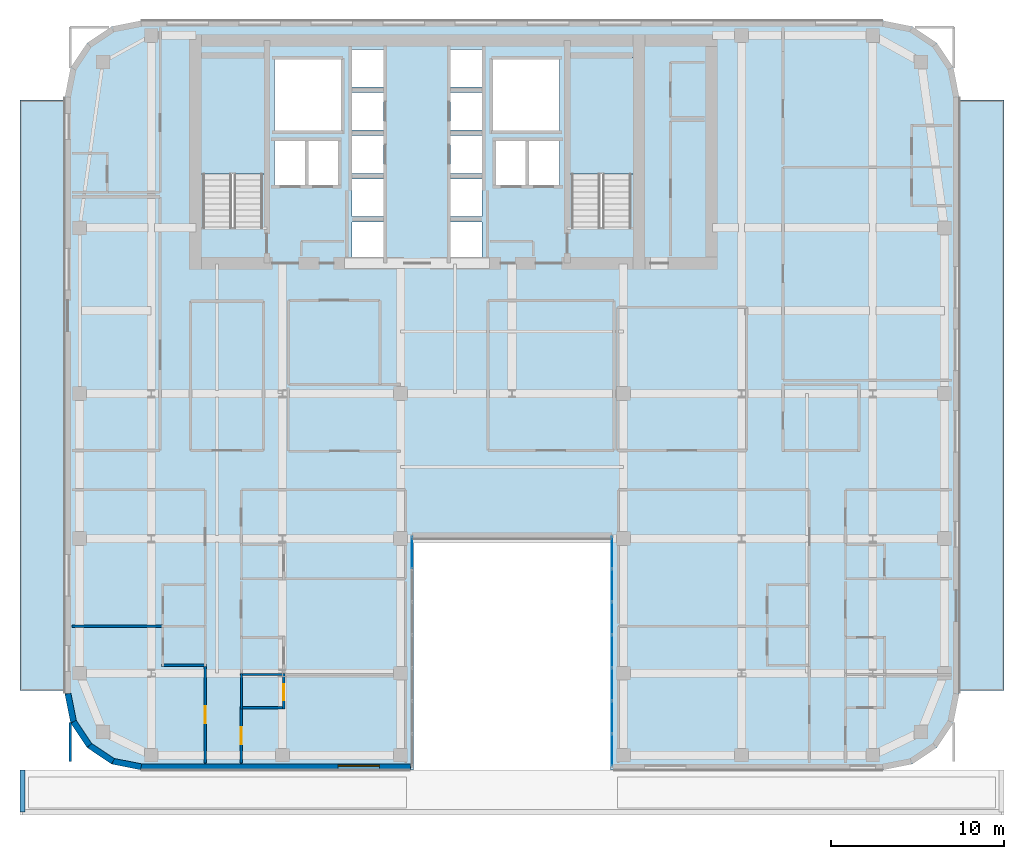
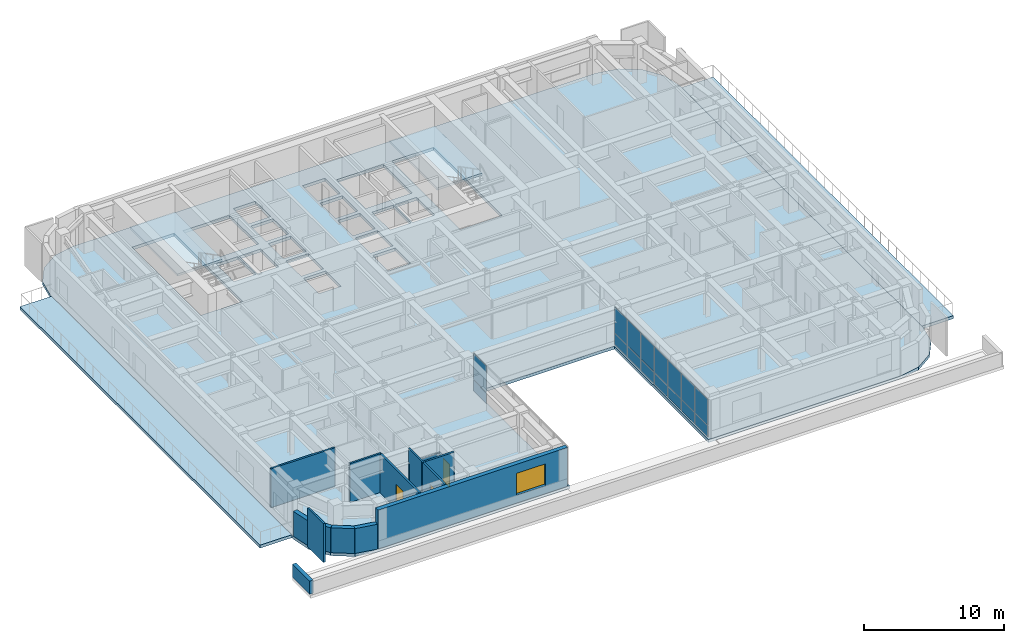
# One storey, part 9 of 20: 16 plates, 15 walls, 5 slabs, 3 doors, 1 window, 4 openings, 4 elements without a shape of their own.
"""IFC4 building model written with IfcOpenShell, lengths in metres."""

from ifc_helpers import new_model, si_unit, direction, frame, frame_2d, origin, origin_2d, place, context, subcontext, project, spatial, polyline, rectangle, outline, extrude, source, transform, mapped, material, layer, layer_set, type_object, type_shapes, element, fill, aggregate, save


model = new_model("IFC4")

# Units and contexts
model_context = context("Model", 3, precision=1e-05, world=origin(), true_north=direction((0.0, 1.0)))
body_context = subcontext(model_context, "Body", "Model", "MODEL_VIEW")
ifc_project = project(units=[si_unit("LENGTHUNIT", "METRE"), si_unit("AREAUNIT", "SQUARE_METRE"), si_unit("VOLUMEUNIT", "CUBIC_METRE"), si_unit("PLANEANGLEUNIT", "RADIAN"), si_unit("MASSUNIT", "GRAM", prefix="KILO")], contexts=[model_context])

# Site, building, storey
site_placement = place(None, origin())
site = spatial("IfcSite", under=ifc_project, at=site_placement, CompositionType="ELEMENT")
building_placement = place(site_placement, origin())
building = spatial("IfcBuilding", under=site, at=building_placement, Name="Tolvann Quenvar Hotel", CompositionType="ELEMENT")
storey_placement = place(building_placement, frame((0.0, 0.0, 147.050048828125)))
storey = spatial("IfcBuildingStorey", under=building, at=storey_placement, Name="L38", CompositionType="ELEMENT", Elevation=147.050048828125)

# Stair, slab
ifc_material_1 = material(Name="Concrete N40 (40 MPa)", Category="concrete")
stair_type = type_object("IfcStairType", Name="STAIR", PredefinedType="HALF_TURN_STAIR", material=ifc_material_1)
stair_1_placement = place(storey_placement, origin())
stair_1 = element("IfcStair", 1, at=stair_1_placement, inside=storey, type_object=stair_type, Name="L38 ST-C1", PredefinedType="HALF_TURN_STAIR")
ifc_layer_1 = layer(ifc_material_1, 0.199951171875)
ifc_layer_set_1 = layer_set([ifc_layer_1], Name="Concrete N40 (40 MPa)")
slab_type_1 = type_object("IfcSlabType", Name="SLAB_LANDING", PredefinedType="LANDING", material=ifc_layer_set_1)
slab_1_placement = place(storey_placement, frame((0.0, 0.0, 1.574951171875)))
slab_1 = element("IfcSlab", 2, at=slab_1_placement, type_object=slab_type_1, Name="ST-C1 landing 1", PredefinedType="LANDING", context=body_context, shape_type="SweptSolid", body=[
    extrude(outline(polyline([(14.179931640625, 37.10498046875), (14.179931640625, 43.8798828125), (10.469970703125, 43.8798828125), (10.469970703125, 37.10498046875), (14.179931640625, 37.10498046875)])), origin(), (0.0, 0.0, 1.0), 0.199951171875),
])
aggregate(stair_1, [slab_1])

stair_2_placement = place(storey_placement, origin())
stair_2 = element("IfcStair", 3, at=stair_2_placement, inside=storey, type_object=stair_type, Name="L38 ST-C2", PredefinedType="HALF_TURN_STAIR")
slab_2_placement = place(storey_placement, frame((0.0, 0.0, 1.574951171875)))
slab_2 = element("IfcSlab", 4, at=slab_2_placement, type_object=slab_type_1, Name="ST-C2 landing 1", PredefinedType="LANDING", context=body_context, shape_type="SweptSolid", body=[
    extrude(outline(polyline([(35.530029296875, 37.10498046875), (35.530029296875, 43.8798828125), (31.820068359375, 43.8798828125), (31.820068359375, 37.10498046875), (35.530029296875, 37.10498046875)])), origin(), (0.0, 0.0, 1.0), 0.199951171875),
])
aggregate(stair_2, [slab_2])

# Slabs
ifc_material_2 = material(Name="Concrete N50 (50 MPa)", Category="concrete")
ifc_layer_2 = layer(ifc_material_2, 0.260009765625)
ifc_layer_set_2 = layer_set([ifc_layer_2], Name="Concrete N50 (50 MPa)")
slab_type_2 = type_object("IfcSlabType", Name="SLAB_POD_250", PredefinedType="FLOOR", material=ifc_layer_set_2)
slab_3_placement = place(storey_placement, frame((0.0, 0.0, -0.260009765625)))
element("IfcSlab", 5, at=slab_3_placement, inside=storey, type_object=slab_type_2, Name="Level L38 Structural Floor Slab", PredefinedType="FLOOR", context=body_context, shape_type="SweptSolid", body=[
    extrude(outline(polyline([(2.60009765625, 7.0), (2.934814453125, 5.316162109375), (3.888671875, 3.888671875), (5.316162109375, 2.934814453125), (7.0, 2.60009765625), (22.800048828125, 2.60009765625), (22.800048828125, 16.0), (34.199951171875, 16.0), (34.199951171875, 2.60009765625), (50.0, 2.60009765625), (51.683837890625, 2.934814453125), (53.111328125, 3.888671875), (54.065185546875, 5.316162109375), (54.39990234375, 7.0), (54.39990234375, 41.60009765625), (54.065185546875, 43.28369140625), (53.111328125, 44.711181640625), (51.683837890625, 45.6650390625), (50.0, 46.0), (7.0, 46.0), (5.316162109375, 45.6650390625), (3.888671875, 44.711181640625), (2.934814453125, 43.28369140625), (2.60009765625, 41.60009765625), (2.60009765625, 7.0)]), holes=[polyline([(31.949951171875, 34.02490234375), (31.949951171875, 43.800048828125), (35.39990234375, 43.800048828125), (35.39990234375, 34.02490234375), (31.949951171875, 34.02490234375)]), polyline([(29.449951171875, 39.02001953125), (31.25, 39.02001953125), (31.25, 36.47998046875), (29.449951171875, 36.47998046875), (29.449951171875, 39.02001953125)]), polyline([(31.25, 43.75), (31.25, 39.64990234375), (27.39990234375, 39.64990234375), (27.39990234375, 43.75), (31.25, 43.75)]), polyline([(27.574951171875, 39.02001953125), (29.324951171875, 39.02001953125), (29.324951171875, 36.47998046875), (27.574951171875, 36.47998046875), (27.574951171875, 39.02001953125)]), polyline([(26.77001953125, 44.340087890625), (26.77001953125, 42.159912109375), (24.929931640625, 42.159912109375), (24.929931640625, 44.340087890625), (26.77001953125, 44.340087890625)]), polyline([(24.929931640625, 41.840087890625), (26.77001953125, 41.840087890625), (26.77001953125, 39.659912109375), (24.929931640625, 39.659912109375), (24.929931640625, 41.840087890625)]), polyline([(24.929931640625, 39.340087890625), (26.77001953125, 39.340087890625), (26.77001953125, 37.159912109375), (24.929931640625, 37.159912109375), (24.929931640625, 39.340087890625)]), polyline([(24.929931640625, 36.840087890625), (26.77001953125, 36.840087890625), (26.77001953125, 34.659912109375), (24.929931640625, 34.659912109375), (24.929931640625, 36.840087890625)]), polyline([(24.929931640625, 34.340087890625), (26.77001953125, 34.340087890625), (26.77001953125, 32.159912109375), (24.929931640625, 32.159912109375), (24.929931640625, 34.340087890625)]), polyline([(21.070068359375, 44.340087890625), (21.070068359375, 42.159912109375), (19.22998046875, 42.159912109375), (19.22998046875, 44.340087890625), (21.070068359375, 44.340087890625)]), polyline([(19.22998046875, 41.840087890625), (21.070068359375, 41.840087890625), (21.070068359375, 39.659912109375), (19.22998046875, 39.659912109375), (19.22998046875, 41.840087890625)]), polyline([(19.22998046875, 39.340087890625), (21.070068359375, 39.340087890625), (21.070068359375, 37.159912109375), (19.22998046875, 37.159912109375), (19.22998046875, 39.340087890625)]), polyline([(19.22998046875, 36.840087890625), (21.070068359375, 36.840087890625), (21.070068359375, 34.659912109375), (19.22998046875, 34.659912109375), (19.22998046875, 36.840087890625)]), polyline([(19.22998046875, 34.340087890625), (21.070068359375, 34.340087890625), (21.070068359375, 32.159912109375), (19.22998046875, 32.159912109375), (19.22998046875, 34.340087890625)]), polyline([(18.60009765625, 43.75), (18.60009765625, 39.64990234375), (14.75, 39.64990234375), (14.75, 43.75), (18.60009765625, 43.75)]), polyline([(16.675048828125, 39.02001953125), (18.425048828125, 39.02001953125), (18.425048828125, 36.47998046875), (16.675048828125, 36.47998046875), (16.675048828125, 39.02001953125)]), polyline([(14.75, 39.02001953125), (16.550048828125, 39.02001953125), (16.550048828125, 36.47998046875), (14.75, 36.47998046875), (14.75, 39.02001953125)]), polyline([(10.60009765625, 34.02490234375), (10.60009765625, 43.800048828125), (14.050048828125, 43.800048828125), (14.050048828125, 34.02490234375), (10.60009765625, 34.02490234375)])]), origin(), (0.0, 0.0, 1.0), 0.260009765625),
])
ifc_layer_3 = layer(ifc_material_2, 0.260009765625)
ifc_layer_set_3 = layer_set([ifc_layer_3], Name="Concrete N50 (50 MPa)")
slab_type_3 = type_object("IfcSlabType", Name="SLAB_TER_260", PredefinedType="ROOF", material=ifc_layer_set_3)
slab_4_placement = place(storey_placement, frame((0.0, 0.0, -0.260009765625)))
element("IfcSlab", 6, at=slab_4_placement, inside=storey, type_object=slab_type_3, Name="West Setback Sky Terrace", PredefinedType="ROOF", context=body_context, shape_type="SweptSolid", body=[
    extrude(outline(polyline([(0.0, 7.199951171875), (2.60009765625, 7.199951171875), (2.60009765625, 41.39990234375), (0.0, 41.39990234375), (0.0, 7.199951171875)])), origin(), (0.0, 0.0, 1.0), 0.260009765625),
])
slab_5_placement = place(storey_placement, frame((0.0, 0.0, -0.260009765625)))
element("IfcSlab", 7, at=slab_5_placement, inside=storey, type_object=slab_type_3, Name="East Setback Sky Terrace", PredefinedType="ROOF", context=body_context, shape_type="SweptSolid", body=[
    extrude(outline(polyline([(54.39990234375, 7.199951171875), (57.0, 7.199951171875), (57.0, 41.39990234375), (54.39990234375, 41.39990234375), (54.39990234375, 7.199951171875)])), origin(), (0.0, 0.0, 1.0), 0.260009765625),
])

# Curtain wall, plate
ifc_material_3 = material(Name="Thermally broken anodised architectural aluminium 6063-T6 and laminated low-E glass", Category="aluminium")
ifc_layer_4 = layer(ifc_material_3, 0.179931640625)
ifc_layer_set_4 = layer_set([ifc_layer_4], Name="Thermally broken anodised architectural aluminium 6063-T6 and laminated low-E glass")
curtain_wall_type = type_object("IfcCurtainWallType", Name="CW_SYS_SLOT_03", PredefinedType="USERDEFINED", material=ifc_layer_set_4)
curtain_wall_1_placement = place(storey_placement, origin())
curtain_wall_1 = element("IfcCurtainWall", 8, at=curtain_wall_1_placement, inside=storey, type_object=curtain_wall_type, Name="Curtain Wall CW-SLOT-03 (CWR-L38-E05)", ObjectType="UNITISED CURTAIN WALL", PredefinedType="USERDEFINED")
ifc_material_4 = material(Name="Low-iron laminated double glazing with solar-control coating", Category="glass")
ifc_layer_5 = layer(ifc_material_4, 0.028076171875)
ifc_layer_set_5 = layer_set([ifc_layer_5], Name="Low-iron laminated double glazing with solar-control coating")
plate_type = type_object("IfcPlateType", Name="CW_PAN_VISION_28", PredefinedType="CURTAIN_PANEL", material=ifc_layer_set_5)
shared_shape_1 = source(origin(), body_context, "Body", "SweptSolid", [
    extrude(rectangle(XDim=1.809326171875, YDim=0.028076171875, at=origin_2d()), origin(), (0.0, 0.0, 1.0), 0.9599609375),
])
plate_1_placement = place(storey_placement, frame((22.7099609375, 15.200439453125, 0.06005859375), z_axis=(0.0, 0.0, 1.0), x_axis=(0.0, 1.0, 0.0)))
plate_1 = element("IfcPlate", 9, at=plate_1_placement, type_object=plate_type, Name="CW-SLOT-03 panel 7.1", PredefinedType="CURTAIN_PANEL", context=body_context, shape_type="MappedRepresentation", body=[
    mapped(shared_shape_1, transform((0.0, 0.0, 0.0), x_axis=(1.0, 0.0, 0.0), y_axis=(0.0, 1.0, 0.0), z_axis=(0.0, 0.0, 1.0), scale=1.0)),
])

# Curtain wall, plates
curtain_wall_2_placement = place(storey_placement, origin())
curtain_wall_2 = element("IfcCurtainWall", 10, at=curtain_wall_2_placement, inside=storey, type_object=curtain_wall_type, Name="Curtain Wall CW-SLOT-03 (CWR-L38-E07)", ObjectType="UNITISED CURTAIN WALL", PredefinedType="USERDEFINED")
plate_2_placement = place(storey_placement, frame((34.2900390625, 15.200439453125, 0.06005859375), z_axis=(0.0, 0.0, 1.0), x_axis=(0.0, -1.0, 0.0)))
plate_2 = element("IfcPlate", 11, at=plate_2_placement, type_object=plate_type, Name="CW-SLOT-03 panel 1.1", PredefinedType="CURTAIN_PANEL", context=body_context, shape_type="MappedRepresentation", body=[
    mapped(shared_shape_1, transform((0.0, 0.0, 0.0), x_axis=(1.0, 0.0, 0.0), y_axis=(0.0, 1.0, 0.0), z_axis=(0.0, 0.0, 1.0), scale=1.0)),
])
plate_3_placement = place(storey_placement, frame((34.2900390625, 3.749755859375, 0.06005859375), z_axis=(0.0, 0.0, 1.0), x_axis=(0.0, -1.0, 0.0)))
plate_3 = element("IfcPlate", 12, at=plate_3_placement, type_object=plate_type, Name="CW-SLOT-03 panel 7.1", PredefinedType="CURTAIN_PANEL", context=body_context, shape_type="MappedRepresentation", body=[
    mapped(shared_shape_1, transform((0.0, 0.0, 0.0), x_axis=(1.0, 0.0, 0.0), y_axis=(0.0, 1.0, 0.0), z_axis=(0.0, 0.0, 1.0), scale=1.0)),
])

# Plate
shared_shape_2 = source(origin(), body_context, "Body", "SweptSolid", [
    extrude(rectangle(XDim=1.809326171875, YDim=0.028076171875, at=origin_2d()), origin(), (0.0, 0.0, 1.0), 2.22998046875),
])
plate_4_placement = place(storey_placement, frame((22.7099609375, 15.200439453125, 1.080078125), z_axis=(0.0, 0.0, 1.0), x_axis=(0.0, 1.0, 0.0)))
plate_4 = element("IfcPlate", 13, at=plate_4_placement, type_object=plate_type, Name="CW-SLOT-03 panel 7.2", PredefinedType="CURTAIN_PANEL", context=body_context, shape_type="MappedRepresentation", body=[
    mapped(shared_shape_2, transform((0.0, 0.0, 0.0), x_axis=(1.0, 0.0, 0.0), y_axis=(0.0, 1.0, 0.0), z_axis=(0.0, 0.0, 1.0), scale=1.0)),
])

aggregate(curtain_wall_1, [plate_1, plate_4])

plate_5_placement = place(storey_placement, frame((34.2900390625, 15.200439453125, 1.080078125), z_axis=(0.0, 0.0, 1.0), x_axis=(0.0, -1.0, 0.0)))
plate_5 = element("IfcPlate", 14, at=plate_5_placement, type_object=plate_type, Name="CW-SLOT-03 panel 1.2", PredefinedType="CURTAIN_PANEL", context=body_context, shape_type="MappedRepresentation", body=[
    mapped(shared_shape_2, transform((0.0, 0.0, 0.0), x_axis=(1.0, 0.0, 0.0), y_axis=(0.0, 1.0, 0.0), z_axis=(0.0, 0.0, 1.0), scale=1.0)),
])

plate_6_placement = place(storey_placement, frame((34.2900390625, 3.749755859375, 1.080078125), z_axis=(0.0, 0.0, 1.0), x_axis=(0.0, -1.0, 0.0)))
plate_6 = element("IfcPlate", 15, at=plate_6_placement, type_object=plate_type, Name="CW-SLOT-03 panel 7.2", PredefinedType="CURTAIN_PANEL", context=body_context, shape_type="MappedRepresentation", body=[
    mapped(shared_shape_2, transform((0.0, 0.0, 0.0), x_axis=(1.0, 0.0, 0.0), y_axis=(0.0, 1.0, 0.0), z_axis=(0.0, 0.0, 1.0), scale=1.0)),
])

shared_shape_3 = source(origin(), body_context, "Body", "SweptSolid", [
    extrude(rectangle(XDim=1.84423828125, YDim=0.028076171875, at=origin_2d()), origin(), (0.0, 0.0, 1.0), 0.9599609375),
])
plate_7_placement = place(storey_placement, frame((34.2900390625, 13.303466796875, 0.06005859375), z_axis=(0.0, 0.0, 1.0), x_axis=(0.0, -1.0, 0.0)))
plate_7 = element("IfcPlate", 16, at=plate_7_placement, type_object=plate_type, Name="CW-SLOT-03 panel 2.1", PredefinedType="CURTAIN_PANEL", context=body_context, shape_type="MappedRepresentation", body=[
    mapped(shared_shape_3, transform((0.0, 0.0, 0.0), x_axis=(1.0, 0.0, 0.0), y_axis=(0.0, 1.0, 0.0), z_axis=(0.0, 0.0, 1.0), scale=1.0)),
])

plate_8_placement = place(storey_placement, frame((34.2900390625, 11.389404296875, 0.06005859375), z_axis=(0.0, 0.0, 1.0), x_axis=(0.0, -1.0, 0.0)))
plate_8 = element("IfcPlate", 17, at=plate_8_placement, type_object=plate_type, Name="CW-SLOT-03 panel 3.1", PredefinedType="CURTAIN_PANEL", context=body_context, shape_type="MappedRepresentation", body=[
    mapped(shared_shape_3, transform((0.0, 0.0, 0.0), x_axis=(1.0, 0.0, 0.0), y_axis=(0.0, 1.0, 0.0), z_axis=(0.0, 0.0, 1.0), scale=1.0)),
])

plate_9_placement = place(storey_placement, frame((34.2900390625, 9.47509765625, 0.06005859375), z_axis=(0.0, 0.0, 1.0), x_axis=(0.0, -1.0, 0.0)))
plate_9 = element("IfcPlate", 18, at=plate_9_placement, type_object=plate_type, Name="CW-SLOT-03 panel 4.1", PredefinedType="CURTAIN_PANEL", context=body_context, shape_type="MappedRepresentation", body=[
    mapped(shared_shape_3, transform((0.0, 0.0, 0.0), x_axis=(1.0, 0.0, 0.0), y_axis=(0.0, 1.0, 0.0), z_axis=(0.0, 0.0, 1.0), scale=1.0)),
])

plate_10_placement = place(storey_placement, frame((34.2900390625, 7.560791015625, 0.06005859375), z_axis=(0.0, 0.0, 1.0), x_axis=(0.0, -1.0, 0.0)))
plate_10 = element("IfcPlate", 19, at=plate_10_placement, type_object=plate_type, Name="CW-SLOT-03 panel 5.1", PredefinedType="CURTAIN_PANEL", context=body_context, shape_type="MappedRepresentation", body=[
    mapped(shared_shape_3, transform((0.0, 0.0, 0.0), x_axis=(1.0, 0.0, 0.0), y_axis=(0.0, 1.0, 0.0), z_axis=(0.0, 0.0, 1.0), scale=1.0)),
])

plate_11_placement = place(storey_placement, frame((34.2900390625, 5.646484375, 0.06005859375), z_axis=(0.0, 0.0, 1.0), x_axis=(0.0, -1.0, 0.0)))
plate_11 = element("IfcPlate", 20, at=plate_11_placement, type_object=plate_type, Name="CW-SLOT-03 panel 6.1", PredefinedType="CURTAIN_PANEL", context=body_context, shape_type="MappedRepresentation", body=[
    mapped(shared_shape_3, transform((0.0, 0.0, 0.0), x_axis=(1.0, 0.0, 0.0), y_axis=(0.0, 1.0, 0.0), z_axis=(0.0, 0.0, 1.0), scale=1.0)),
])

shared_shape_4 = source(origin(), body_context, "Body", "SweptSolid", [
    extrude(rectangle(XDim=1.84423828125, YDim=0.028076171875, at=origin_2d()), origin(), (0.0, 0.0, 1.0), 2.22998046875),
])
type_shapes(plate_type, [shared_shape_1, shared_shape_2, shared_shape_3, shared_shape_4])
plate_12_placement = place(storey_placement, frame((34.2900390625, 13.303466796875, 1.080078125), z_axis=(0.0, 0.0, 1.0), x_axis=(0.0, -1.0, 0.0)))
plate_12 = element("IfcPlate", 21, at=plate_12_placement, type_object=plate_type, Name="CW-SLOT-03 panel 2.2", PredefinedType="CURTAIN_PANEL", context=body_context, shape_type="MappedRepresentation", body=[
    mapped(shared_shape_4, transform((0.0, 0.0, 0.0), x_axis=(1.0, 0.0, 0.0), y_axis=(0.0, 1.0, 0.0), z_axis=(0.0, 0.0, 1.0), scale=1.0)),
])

plate_13_placement = place(storey_placement, frame((34.2900390625, 11.389404296875, 1.080078125), z_axis=(0.0, 0.0, 1.0), x_axis=(0.0, -1.0, 0.0)))
plate_13 = element("IfcPlate", 22, at=plate_13_placement, type_object=plate_type, Name="CW-SLOT-03 panel 3.2", PredefinedType="CURTAIN_PANEL", context=body_context, shape_type="MappedRepresentation", body=[
    mapped(shared_shape_4, transform((0.0, 0.0, 0.0), x_axis=(1.0, 0.0, 0.0), y_axis=(0.0, 1.0, 0.0), z_axis=(0.0, 0.0, 1.0), scale=1.0)),
])

plate_14_placement = place(storey_placement, frame((34.2900390625, 9.47509765625, 1.080078125), z_axis=(0.0, 0.0, 1.0), x_axis=(0.0, -1.0, 0.0)))
plate_14 = element("IfcPlate", 23, at=plate_14_placement, type_object=plate_type, Name="CW-SLOT-03 panel 4.2", PredefinedType="CURTAIN_PANEL", context=body_context, shape_type="MappedRepresentation", body=[
    mapped(shared_shape_4, transform((0.0, 0.0, 0.0), x_axis=(1.0, 0.0, 0.0), y_axis=(0.0, 1.0, 0.0), z_axis=(0.0, 0.0, 1.0), scale=1.0)),
])

plate_15_placement = place(storey_placement, frame((34.2900390625, 7.560791015625, 1.080078125), z_axis=(0.0, 0.0, 1.0), x_axis=(0.0, -1.0, 0.0)))
plate_15 = element("IfcPlate", 24, at=plate_15_placement, type_object=plate_type, Name="CW-SLOT-03 panel 5.2", PredefinedType="CURTAIN_PANEL", context=body_context, shape_type="MappedRepresentation", body=[
    mapped(shared_shape_4, transform((0.0, 0.0, 0.0), x_axis=(1.0, 0.0, 0.0), y_axis=(0.0, 1.0, 0.0), z_axis=(0.0, 0.0, 1.0), scale=1.0)),
])

plate_16_placement = place(storey_placement, frame((34.2900390625, 5.646484375, 1.080078125), z_axis=(0.0, 0.0, 1.0), x_axis=(0.0, -1.0, 0.0)))
plate_16 = element("IfcPlate", 25, at=plate_16_placement, type_object=plate_type, Name="CW-SLOT-03 panel 6.2", PredefinedType="CURTAIN_PANEL", context=body_context, shape_type="MappedRepresentation", body=[
    mapped(shared_shape_4, transform((0.0, 0.0, 0.0), x_axis=(1.0, 0.0, 0.0), y_axis=(0.0, 1.0, 0.0), z_axis=(0.0, 0.0, 1.0), scale=1.0)),
])

aggregate(curtain_wall_2, [plate_2, plate_5, plate_7, plate_12, plate_8, plate_13, plate_9, plate_14, plate_10, plate_15, plate_11, plate_16, plate_3, plate_6])

# Walls
ifc_material_5 = material(Name="Kiln-fired red and buff architectural clay brickwork and terracotta masonry", Category="masonry")
ifc_layer_6 = layer(ifc_material_5, 0.35009765625)
ifc_layer_set_6 = layer_set([ifc_layer_6], Name="Kiln-fired red and buff architectural clay brickwork and terracotta masonry")
wall_type_1 = type_object("IfcWallType", Name="WALL_EXT_BRICK_350", PredefinedType="SOLIDWALL", material=ifc_layer_set_6)
for number, where, z_axis, x_axis, name in (
    (26, (3.099609375, 5.384521484375, 0.0), (0.0, 0.0, 1.0), (0.555623290322, -0.831434158098, 0.0), "Exterior Chicago Brick Wall L38-E01"),
    (27, (4.014892578125, 4.014892578125, 0.0), (0.0, 0.0, 1.0), (0.831434158098, -0.555623290322, 0.0), "Exterior Chicago Brick Wall L38-E02"),
):
    element("IfcWall", number, at=place(storey_placement, frame(where, z_axis=z_axis, x_axis=x_axis)), inside=storey, type_object=wall_type_1, Name=name, PredefinedType="SOLIDWALL", context=body_context, shape_type="SweptSolid", body=[
        extrude(rectangle(XDim=1.647216796875, YDim=0.35009765625, at=frame_2d((0.82373046875, 0.0))), origin(), (0.0, 0.0, 1.0), 2.159912109375),
    ])
wall_1_placement = place(storey_placement, frame((5.384521484375, 3.099609375, 0.0), z_axis=(0.0, 0.0, 1.0), x_axis=(0.980788844421, -0.195072403631, 0.0)))
element("IfcWall", 28, at=wall_1_placement, inside=storey, type_object=wall_type_1, Name="Exterior Chicago Brick Wall L38-E03", PredefinedType="SOLIDWALL", context=body_context, shape_type="SweptSolid", body=[
    extrude(rectangle(XDim=1.66455078125, YDim=0.35009765625, at=frame_2d((0.832275390625, 0.0))), origin(), (0.0, 0.0, 1.0), 2.159912109375),
])

# Wall, opening, window
wall_2_placement = place(storey_placement, frame((7.01708984375, 2.77490234375, 0.0), z_axis=(0.0, 0.0, 1.0), x_axis=(1.0, 0.0, 0.0)))
wall_2 = element("IfcWall", 29, at=wall_2_placement, inside=storey, type_object=wall_type_1, Name="Exterior Chicago Brick Wall L38-E04", PredefinedType="SOLIDWALL", context=body_context, shape_type="SweptSolid", body=[
    extrude(rectangle(XDim=15.60791015625, YDim=0.35009765625, at=frame_2d((7.803955078125, 0.0))), origin(), (0.0, 0.0, 1.0), 3.369873046875),
])
opening_1_placement = place(wall_2_placement, frame((11.406982421875, 0.0, 0.679931640625)))
opening_1 = element("IfcOpeningElement", 30, at=opening_1_placement, cuts=wall_2, Name="Opening W-01", PredefinedType="OPENING", context=body_context, shape_type="SweptSolid", body=[
    extrude(rectangle(XDim=2.39990234375, YDim=1.89990234375, at=frame_2d((1.199951171875, 0.949951171875))), frame((0.0, 0.18505859375, 0.0), z_axis=(0.0, -1.0, 0.0), x_axis=(1.0, 0.0, 0.0)), (0.0, 0.0, 1.0), 0.3701171875),
])
ifc_material_6 = material(Name="Thermally broken bronze-anodised aluminium frame with double low-E glazing", Category="aluminium")
window_type = type_object("IfcWindowType", Name="WIN_CHI_2400x2050", PartitioningType="TRIPLE_PANEL_HORIZONTAL", PredefinedType="WINDOW", material=ifc_material_6)
shared_shape_5 = source(origin(), body_context, "Body", "SweptSolid", [
    extrude(rectangle(XDim=2.39990234375, YDim=1.89990234375, at=frame_2d((1.199951171875, 0.949951171875))), frame((0.0, 0.090087890625, 0.0), z_axis=(0.0, -1.0, 0.0), x_axis=(1.0, 0.0, 0.0)), (0.0, 0.0, 1.0), 0.06005859375),
])
type_shapes(window_type, [shared_shape_5])
window_placement = place(opening_1_placement, origin())
window = element("IfcWindow", 31, at=window_placement, inside=storey, type_object=window_type, Name="Chicago Window W-01 (EW-L38-E04-W01)", OverallHeight=1.89990234375, OverallWidth=2.39990234375, PartitioningType="TRIPLE_PANEL_HORIZONTAL", PredefinedType="WINDOW", context=body_context, shape_type="MappedRepresentation", body=[
    mapped(shared_shape_5, transform((0.0, 0.0, 0.0), x_axis=(1.0, 0.0, 0.0), y_axis=(0.0, 1.0, 0.0), z_axis=(0.0, 0.0, 1.0), scale=1.0)),
])
fill(opening_1, window)

# Walls
wall_3_placement = place(storey_placement, frame((2.77490234375, 7.01708984375, 0.0), z_axis=(0.0, 0.0, 1.0), x_axis=(0.195072403631, -0.980788844421, 0.0)))
element("IfcWall", 32, at=wall_3_placement, inside=storey, type_object=wall_type_1, Name="Exterior Chicago Brick Wall L38-E24", PredefinedType="SOLIDWALL", context=body_context, shape_type="SweptSolid", body=[
    extrude(rectangle(XDim=1.66455078125, YDim=0.35009765625, at=frame_2d((0.832275390625, 0.0))), origin(), (0.0, 0.0, 1.0), 2.159912109375),
])
ifc_layer_7 = layer(ifc_material_5, 0.300048828125)
ifc_layer_set_7 = layer_set([ifc_layer_7], Name="Kiln-fired red and buff architectural clay brickwork and terracotta masonry")
wall_type_2 = type_object("IfcWallType", Name="WALL_PARAPET_300", PredefinedType="PARAPET", material=ifc_layer_set_7)
wall_4_placement = place(storey_placement, frame((0.14990234375, 0.14990234375, 0.0), z_axis=(0.0, 0.0, 1.0), x_axis=(0.0, 1.0, 0.0)))
element("IfcWall", 33, at=wall_4_placement, inside=storey, type_object=wall_type_2, Name="Setback Roof Parapet L38-SW", PredefinedType="PARAPET", context=body_context, shape_type="SweptSolid", body=[
    extrude(rectangle(XDim=2.4501953125, YDim=0.300048828125, at=frame_2d((1.22509765625, 0.0))), origin(), (0.0, 0.0, 1.0), 1.14990234375),
])
ifc_material_7 = material(Name="Moisture-resistant acoustic plumbing wall assembly")
ifc_layer_8 = layer(ifc_material_7, 0.1201171875)
ifc_layer_set_8 = layer_set([ifc_layer_8], Name="Moisture-resistant acoustic plumbing wall assembly")
wall_type_3 = type_object("IfcWallType", Name="WALL_PART_BATH_120", PredefinedType="PLUMBINGWALL", material=ifc_layer_set_8)
wall_5_placement = place(storey_placement, frame((12.75, 8.1201171875, 0.0), z_axis=(0.0, 0.0, 1.0), x_axis=(1.0, 0.0, 0.0)))
element("IfcWall", 34, at=wall_5_placement, inside=storey, type_object=wall_type_3, Name="Non-Rated Plumbing Partition PT-SPC-L38-ENS-WI01-N", PredefinedType="PLUMBINGWALL", context=body_context, shape_type="SweptSolid", body=[
    extrude(rectangle(XDim=2.590087890625, YDim=0.1201171875, at=frame_2d((1.294921875, 0.0))), origin(), (0.0, 0.0, 1.0), 2.159912109375),
])
wall_6_placement = place(storey_placement, frame((12.820068359375, 6.135009765625, 0.0), z_axis=(0.0, 0.0, 1.0), x_axis=(0.0, 1.0, 0.0)))
element("IfcWall", 35, at=wall_6_placement, inside=storey, type_object=wall_type_3, Name="Non-Rated Plumbing Partition PT-SPC-L38-ENS-WI01-W", PredefinedType="PLUMBINGWALL", context=body_context, shape_type="SweptSolid", body=[
    extrude(rectangle(XDim=2.054931640625, YDim=0.1201171875, at=frame_2d((1.02734375, 0.0))), origin(), (0.0, 0.0, 1.0), 3.369873046875),
])
ifc_material_8 = material(Name="Acoustic twin-stud fire-rated gypsum plasterboard partition")
ifc_layer_9 = layer(ifc_material_8, 0.14990234375)
ifc_layer_set_9 = layer_set([ifc_layer_9], Name="Acoustic twin-stud fire-rated gypsum plasterboard partition")
wall_type_4 = type_object("IfcWallType", Name="WALL_PART_SUITE_150", PredefinedType="PARTITIONING", material=ifc_layer_set_9)
wall_7_placement = place(storey_placement, frame((8.2099609375, 8.669921875, 0.0), z_axis=(0.0, 0.0, 1.0), x_axis=(1.0, 0.0, 0.0)))
element("IfcWall", 36, at=wall_7_placement, inside=storey, type_object=wall_type_4, Name="Interior Partition PT-SPC-L38-ENS-WO01-S", PredefinedType="PARTITIONING", context=body_context, shape_type="SweptSolid", body=[
    extrude(rectangle(XDim=2.590087890625, YDim=0.14990234375, at=frame_2d((1.294921875, 0.0))), origin(), (0.0, 0.0, 1.0), 3.369873046875),
])

# Wall, opening, door
wall_8_placement = place(storey_placement, frame((15.27001953125, 6.135009765625, 0.0), z_axis=(0.0, 0.0, 1.0), x_axis=(0.0, 1.0, 0.0)))
wall_8 = element("IfcWall", 37, at=wall_8_placement, inside=storey, type_object=wall_type_4, Name="Interior Partition PT-SPC-L38-ENS-WI01-ENT", PredefinedType="PARTITIONING", context=body_context, shape_type="SweptSolid", body=[
    extrude(rectangle(XDim=2.054931640625, YDim=0.14990234375, at=frame_2d((1.02734375, 0.0))), origin(), (0.0, 0.0, 1.0), 2.159912109375),
])
opening_2_placement = place(wall_8_placement, frame((0.49755859375, 0.0, 0.0)))
opening_2 = element("IfcOpeningElement", 38, at=opening_2_placement, cuts=wall_8, Name="Opening WD-01", PredefinedType="OPENING", context=body_context, shape_type="SweptSolid", body=[
    extrude(rectangle(XDim=0.919921875, YDim=2.010009765625, at=frame_2d((0.4599609375, 1.0048828125))), frame((0.0, 0.0849609375, 0.0), z_axis=(0.0, -1.0, 0.0), x_axis=(1.0, 0.0, 0.0)), (0.0, 0.0, 1.0), 0.169921875),
])
ifc_material_9 = material(Name="Solid-core American oak acoustic fire door leaf in steel frame", Category="steel")
door_type_1 = type_object("IfcDoorType", Name="DOOR_WC_920", OperationType="NOTDEFINED", PredefinedType="DOOR", material=ifc_material_9)
shared_shape_6 = source(origin(), body_context, "Body", "SweptSolid", [
    extrude(rectangle(XDim=0.919921875, YDim=2.010009765625, at=frame_2d((0.4599609375, 1.0048828125))), frame((0.0, 0.02490234375, 0.0), z_axis=(0.0, -1.0, 0.0), x_axis=(1.0, 0.0, 0.0)), (0.0, 0.0, 1.0), 0.050048828125),
])
type_shapes(door_type_1, [shared_shape_6])
door_1_placement = place(opening_2_placement, origin())
door_1 = element("IfcDoor", 39, at=door_1_placement, inside=storey, type_object=door_type_1, Name="Interior Door DOOR-SPC-L38-ENS-WI01", OperationType="SINGLE_SWING_LEFT", OverallHeight=2.010009765625, OverallWidth=0.919921875, PredefinedType="DOOR", context=body_context, shape_type="MappedRepresentation", body=[
    mapped(shared_shape_6, transform((0.0, 0.0, 0.0), x_axis=(1.0, 0.0, 0.0), y_axis=(0.0, 1.0, 0.0), z_axis=(0.0, 0.0, 1.0), scale=1.0)),
])
fill(opening_2, door_1)

# Wall
wall_9_placement = place(storey_placement, frame((12.75, 6.205078125, 0.0), z_axis=(0.0, 0.0, 1.0), x_axis=(1.0, 0.0, 0.0)))
element("IfcWall", 40, at=wall_9_placement, inside=storey, type_object=wall_type_4, Name="Interior Partition PT-SPC-L38-ENS-WI01-S", PredefinedType="PARTITIONING", context=body_context, shape_type="SweptSolid", body=[
    extrude(rectangle(XDim=2.590087890625, YDim=0.14990234375, at=frame_2d((1.294921875, 0.0))), origin(), (0.0, 0.0, 1.0), 3.369873046875),
])

# Wall, opening, door
wall_10_placement = place(storey_placement, frame((10.72998046875, 3.0048828125, 0.0), z_axis=(0.0, 0.0, 1.0), x_axis=(0.0, 1.0, 0.0)))
wall_10 = element("IfcWall", 41, at=wall_10_placement, inside=storey, type_object=wall_type_4, Name="Interior Partition PT-SPC-L38-RM-WO01-ENT", PredefinedType="PARTITIONING", context=body_context, shape_type="SweptSolid", body=[
    extrude(rectangle(XDim=5.585205078125, YDim=0.14990234375, at=frame_2d((2.79248046875, 0.0))), origin(), (0.0, 0.0, 1.0), 3.369873046875),
])
opening_3_placement = place(wall_10_placement, frame((2.31005859375, 0.0, 0.0)))
opening_3 = element("IfcOpeningElement", 42, at=opening_3_placement, cuts=wall_10, Name="Opening SD-01", PredefinedType="OPENING", context=body_context, shape_type="SweptSolid", body=[
    extrude(rectangle(XDim=0.97998046875, YDim=2.1201171875, at=frame_2d((0.489990234375, 1.06005859375))), frame((0.0, 0.0849609375, 0.0), z_axis=(0.0, -1.0, 0.0), x_axis=(1.0, 0.0, 0.0)), (0.0, 0.0, 1.0), 0.169921875),
])
door_type_2 = type_object("IfcDoorType", Name="DOOR_SUITE_980", OperationType="NOTDEFINED", PredefinedType="DOOR", material=ifc_material_9)
shared_shape_7 = source(origin(), body_context, "Body", "SweptSolid", [
    extrude(rectangle(XDim=0.97998046875, YDim=2.1201171875, at=frame_2d((0.489990234375, 1.06005859375))), frame((0.0, 0.02490234375, 0.0), z_axis=(0.0, -1.0, 0.0), x_axis=(1.0, 0.0, 0.0)), (0.0, 0.0, 1.0), 0.050048828125),
])
type_shapes(door_type_2, [shared_shape_7])
door_2_placement = place(opening_3_placement, origin())
door_2 = element("IfcDoor", 43, at=door_2_placement, inside=storey, type_object=door_type_2, Name="Interior Door DOOR-SPC-L38-RM-WO01", OperationType="SINGLE_SWING_RIGHT", OverallHeight=2.1201171875, OverallWidth=0.97998046875, PredefinedType="DOOR", context=body_context, shape_type="MappedRepresentation", body=[
    mapped(shared_shape_7, transform((0.0, 0.0, 0.0), x_axis=(1.0, 0.0, 0.0), y_axis=(0.0, 1.0, 0.0), z_axis=(0.0, 0.0, 1.0), scale=1.0)),
])
fill(opening_3, door_2)

# Walls
wall_11_placement = place(storey_placement, frame((3.0048828125, 10.919921875, 0.0), z_axis=(0.0, 0.0, 1.0), x_axis=(1.0, 0.0, 0.0)))
element("IfcWall", 44, at=wall_11_placement, inside=storey, type_object=wall_type_4, Name="Interior Partition PT-SPC-L38-RM-WO01-E5", PredefinedType="PARTITIONING", context=body_context, shape_type="SweptSolid", body=[
    extrude(rectangle(XDim=5.255126953125, YDim=0.14990234375, at=frame_2d((2.62744140625, 0.0))), origin(), (0.0, 0.0, 1.0), 3.369873046875),
])
wall_12_placement = place(storey_placement, frame((2.89990234375, 3.080078125, 0.0), z_axis=(0.0, 0.0, 1.0), x_axis=(0.0, 1.0, 0.0)))
element("IfcWall", 45, at=wall_12_placement, inside=storey, type_object=wall_type_4, Name="Interior Partition PT-SPC-L38-RM-WO01-E6", PredefinedType="PARTITIONING", context=body_context, shape_type="SweptSolid", body=[
    extrude(rectangle(XDim=2.264892578125, YDim=0.14990234375, at=frame_2d((1.13232421875, 0.0))), origin(), (0.0, 0.0, 1.0), 3.369873046875),
])

# Wall, opening, door
wall_13_placement = place(storey_placement, frame((12.820068359375, 3.0048828125, 0.0), z_axis=(0.0, 0.0, 1.0), x_axis=(0.0, 1.0, 0.0)))
wall_13 = element("IfcWall", 46, at=wall_13_placement, inside=storey, type_object=wall_type_4, Name="Interior Partition PT-SPC-L38-RM-WI01-ENT", PredefinedType="PARTITIONING", context=body_context, shape_type="SweptSolid", body=[
    extrude(rectangle(XDim=3.1201171875, YDim=0.14990234375, at=frame_2d((1.56005859375, 0.0))), origin(), (0.0, 0.0, 1.0), 3.369873046875),
])
opening_4_placement = place(wall_13_placement, frame((1.077392578125, 0.0, 0.0)))
opening_4 = element("IfcOpeningElement", 47, at=opening_4_placement, cuts=wall_13, Name="Opening SD-01", PredefinedType="OPENING", context=body_context, shape_type="SweptSolid", body=[
    extrude(rectangle(XDim=0.97998046875, YDim=2.1201171875, at=frame_2d((0.489990234375, 1.06005859375))), frame((0.0, 0.0849609375, 0.0), z_axis=(0.0, -1.0, 0.0), x_axis=(1.0, 0.0, 0.0)), (0.0, 0.0, 1.0), 0.169921875),
])
door_3_placement = place(opening_4_placement, origin())
door_3 = element("IfcDoor", 48, at=door_3_placement, inside=storey, type_object=door_type_2, Name="Interior Door DOOR-SPC-L38-RM-WI01", OperationType="SINGLE_SWING_RIGHT", OverallHeight=2.1201171875, OverallWidth=0.97998046875, PredefinedType="DOOR", context=body_context, shape_type="MappedRepresentation", body=[
    mapped(shared_shape_7, transform((0.0, 0.0, 0.0), x_axis=(1.0, 0.0, 0.0), y_axis=(0.0, 1.0, 0.0), z_axis=(0.0, 0.0, 1.0), scale=1.0)),
])
fill(opening_4, door_3)

save(model, "model.ifc")
